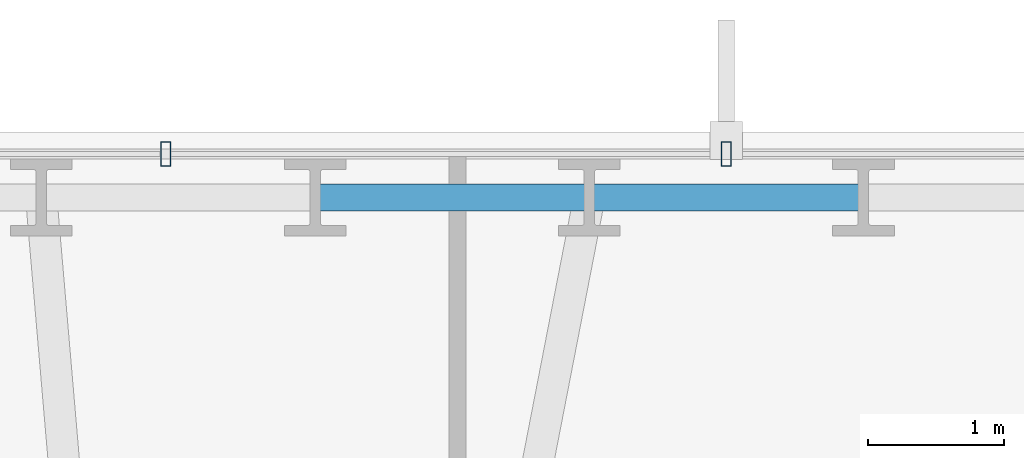
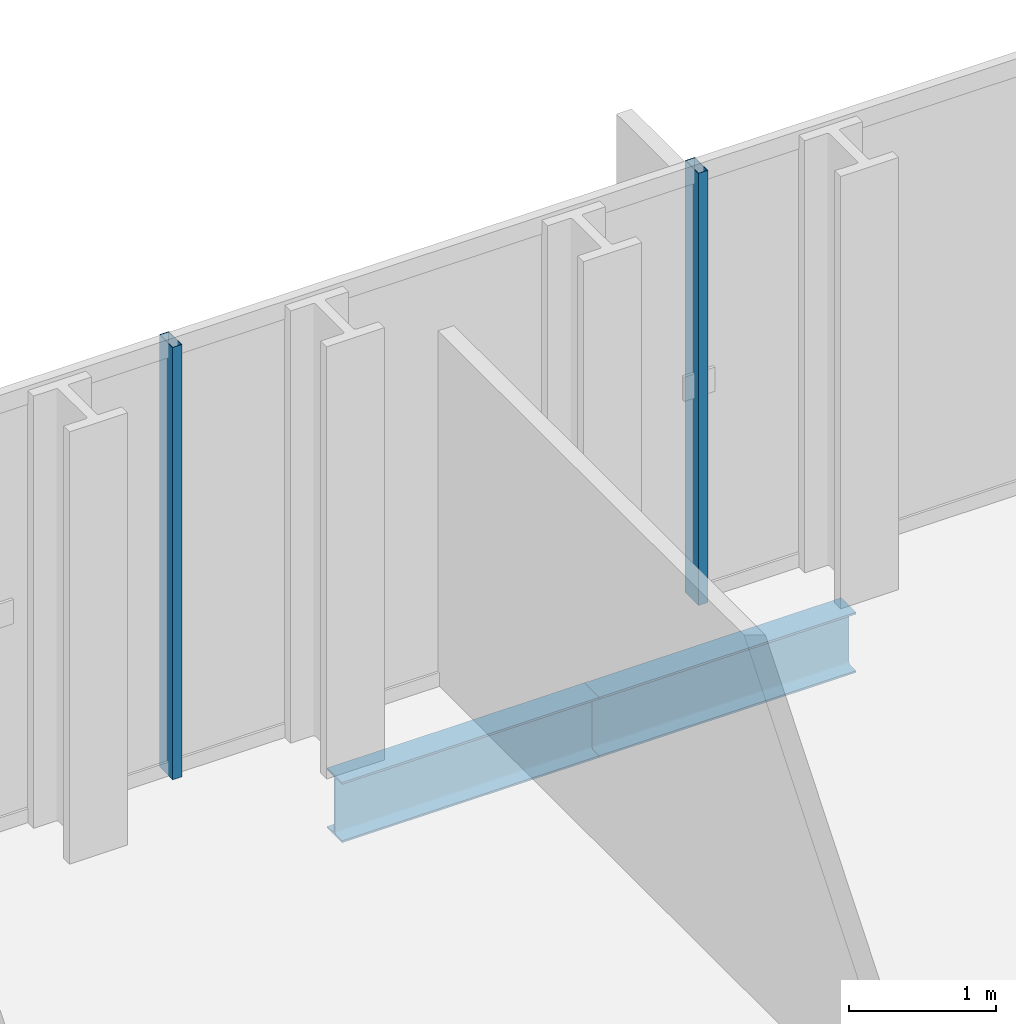
# One storey, part 22 of 33: 2 beams, 2 members, 1 element without a shape of its own.
"""IFC4 building model written with IfcOpenShell, lengths in metres."""

from ifc_helpers import new_model, si_unit, direction, frame, origin, origin_2d, place, context, subcontext, project, spatial, hollow_rectangle, i_section, extrude, material, layer, layer_set, material_profile, profile_set, type_object, element, aggregate, save


model = new_model("IFC4")

# Units and contexts
model_context = context("Model", 3, precision=1e-05, world=origin(), true_north=direction((0.0, 1.0)))
body_context = subcontext(model_context, "Body", "Model", "MODEL_VIEW")
ifc_project = project(units=[si_unit("LENGTHUNIT", "METRE"), si_unit("AREAUNIT", "SQUARE_METRE"), si_unit("VOLUMEUNIT", "CUBIC_METRE"), si_unit("PLANEANGLEUNIT", "RADIAN"), si_unit("MASSUNIT", "GRAM", prefix="KILO")], contexts=[model_context])

# Site, building, storey
site_placement = place(None, origin())
site = spatial("IfcSite", under=ifc_project, at=site_placement, CompositionType="ELEMENT")
building_placement = place(site_placement, origin())
building = spatial("IfcBuilding", under=site, at=building_placement, Name="Ndaravel Arena Tower", CompositionType="ELEMENT")
storey_placement = place(building_placement, frame((0.0, 0.0, 39.800048828125)))
storey = spatial("IfcBuildingStorey", under=building, at=storey_placement, Name="L07", CompositionType="ELEMENT", Elevation=39.800048828125)

# Beams
ifc_material_1 = material(Name="Steel S355", Category="steel")
ifc_material_profile_1 = material_profile(ifc_material_1, i_section(OverallWidth=0.199951171875, OverallDepth=0.5, WebThickness=0.01025390625, FlangeThickness=0.01611328125, FilletRadius=0.02099609375, at=origin_2d()), Name="IPE 500")
ifc_profile_set_1 = profile_set([ifc_material_profile_1], Name="Steel S355")
beam_type = type_object("IfcBeamType", Name="BM-SPAN-IPE500", PredefinedType="SPANDREL", material=ifc_profile_set_1)
beam_1_placement = place(storey_placement, frame((43.0068359375, 45.590087890625, -0.469970703125), z_axis=(-1.0, 0.0, 0.0), x_axis=(0.0, -1.0, 0.0)))
element("IfcBeam", 1, at=beam_1_placement, inside=storey, type_object=beam_type, Name="L07 Perimeter Spandrel Beam SP-14", PredefinedType="SPANDREL", context=body_context, shape_type="SweptSolid", body=[
    extrude(i_section(OverallWidth=0.199951171875, OverallDepth=0.5, WebThickness=0.01025390625, FlangeThickness=0.01611328125, FilletRadius=0.02099609375, at=origin_2d()), origin(), (0.0, 0.0, 1.0), 2.013671875),
])
beam_2_placement = place(storey_placement, frame((40.9931640625, 45.590087890625, -0.469970703125), z_axis=(-1.0, 0.0, 0.0), x_axis=(0.0, -1.0, 0.0)))
element("IfcBeam", 2, at=beam_2_placement, inside=storey, type_object=beam_type, Name="L07 Perimeter Spandrel Beam SP-15", PredefinedType="SPANDREL", context=body_context, shape_type="SweptSolid", body=[
    extrude(i_section(OverallWidth=0.199951171875, OverallDepth=0.5, WebThickness=0.01025390625, FlangeThickness=0.01611328125, FilletRadius=0.02099609375, at=origin_2d()), origin(), (0.0, 0.0, 1.0), 2.013427734375),
])

# Curtain wall, members
ifc_material_2 = material(Name="Aluminium", Category="aluminium")
ifc_layer = layer(ifc_material_2, 0.179931640625)
ifc_layer_set = layer_set([ifc_layer], Name="Aluminium")
curtain_wall_type = type_object("IfcCurtainWallType", Name="CW-SYS-01", PredefinedType="NOTDEFINED", material=ifc_layer_set)
curtain_wall_placement = place(storey_placement, origin())
curtain_wall = element("IfcCurtainWall", 3, at=curtain_wall_placement, inside=storey, type_object=curtain_wall_type, Name="L07 Faceted Crystal Curtain Wall CW-L07-E04", PredefinedType="NOTDEFINED")
ifc_material_3 = material(Name="Aluminium", Category="aluminium")
ifc_material_profile_2 = material_profile(ifc_material_3, hollow_rectangle(XDim=0.074951171875, YDim=0.179931640625, WallThickness=0.00390625, at=origin_2d()), Name="CW MULLION 75x180x4")
ifc_profile_set_2 = profile_set([ifc_material_profile_2], Name="Aluminium")
member_type = type_object("IfcMemberType", Name="MEM-CW-MUL180", PredefinedType="MULLION", material=ifc_profile_set_2)
member_1_placement = place(storey_placement, frame((42.0, 45.909912109375, 0.0), z_axis=(0.0, 0.0, 1.0), x_axis=(-1.0, 0.0, 0.0)))
member_1 = element("IfcMember", 4, at=member_1_placement, type_object=member_type, Name="CW-L07-E04 Mullion 02", PredefinedType="MULLION", context=body_context, shape_type="SweptSolid", body=[
    extrude(hollow_rectangle(XDim=0.074951171875, YDim=0.179931640625, WallThickness=0.00390625, at=origin_2d()), origin(), (0.0, 0.0, 1.0), 3.579833984375),
])
member_2_placement = place(storey_placement, frame((37.880615234375, 45.909912109375, 0.0), z_axis=(0.0, 0.0, 1.0), x_axis=(-1.0, 0.0, 0.0)))
member_2 = element("IfcMember", 5, at=member_2_placement, type_object=member_type, Name="CW-L07-E04 Mullion 03", PredefinedType="MULLION", context=body_context, shape_type="SweptSolid", body=[
    extrude(hollow_rectangle(XDim=0.074951171875, YDim=0.179931640625, WallThickness=0.00390625, at=origin_2d()), origin(), (0.0, 0.0, 1.0), 3.579833984375),
])
aggregate(curtain_wall, [member_1, member_2])

save(model, "model.ifc")
